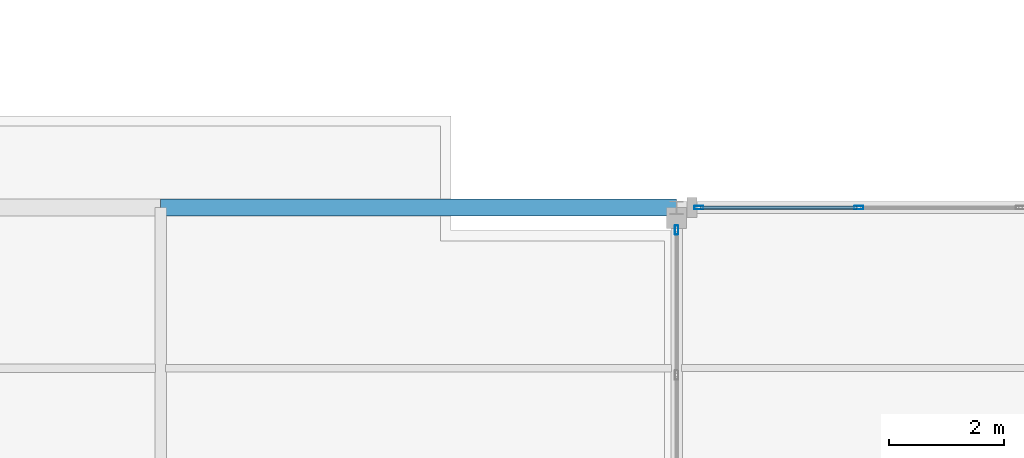
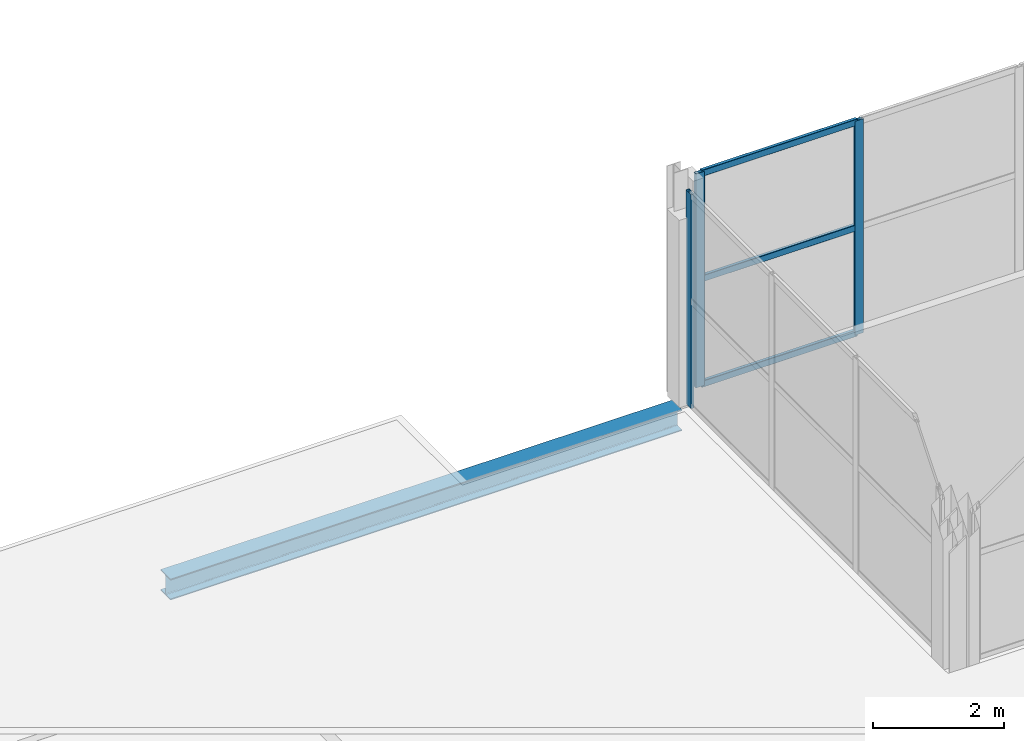
# One storey, part 68 of 93: 6 members, 1 beam, 2 elements without a shape of their own.
"""IFC4 building model written with IfcOpenShell, lengths in metres."""

import ifcopenshell
import ifcopenshell.guid

model = None  # the IFC model being written
_history = None  # IfcOwnerHistory: only IFC2X3 demands one
_inside = {}  # id of a spatial element -> (the spatial element, [elements in it])
_under = {}  # id of a project, library or spatial element -> (it, [spatial elements below it])
_declared = {}  # id of a project -> (the project, [libraries it declares])
_typed = {}  # id of a type object -> (the type object, [elements of that type])
_made_of = {}  # id of a material, layer set ... -> (it, [elements and type objects made of it])


def new_model(schema):
    """Start an empty IFC model of exactly this schema.

    Asked for "IFC4X3", IfcOpenShell would pick the latest addendum, in which some entities
    have other attributes; the version numbers below select the first issue.
    IFC2X3 requires an IfcOwnerHistory on every rooted entity: one is made here for all.
    """
    global model, _history
    if schema == "IFC4X3":
        model = ifcopenshell.file(schema_version=(4, 3, 0, 0))
    else:
        model = ifcopenshell.file(schema=schema)
    _inside.clear()
    _under.clear()
    _declared.clear()
    _typed.clear()
    _made_of.clear()
    _history = None
    if model.schema == "IFC2X3":
        org = make("IfcOrganization", Name="unknown")
        user = make(
            "IfcPersonAndOrganization",
            ThePerson=make("IfcPerson", FamilyName="unknown"),
            TheOrganization=org,
        )
        app = make(
            "IfcApplication",
            ApplicationDeveloper=org,
            Version="unknown",
            ApplicationFullName="unknown",
            ApplicationIdentifier="unknown",
        )
        _history = make(
            "IfcOwnerHistory",
            OwningUser=user,
            OwningApplication=app,
            ChangeAction="ADDED",
            CreationDate=0,
        )
    return model


def make(cls, **values):
    """One entity of the class cls with the attributes given. An attribute that is None is left unset."""
    return model.create_entity(
        cls, **{name: value for name, value in values.items() if value is not None}
    )


def rooted(cls, **values):
    """An entity with a GlobalId (a new one), such as an element, a storey or a relation."""
    return make(cls, GlobalId=ifcopenshell.guid.new(), OwnerHistory=_history, **values)


def si_unit(unit_type, name, prefix=None):
    """IfcSIUnit, for example si_unit("LENGTHUNIT", "METRE", prefix="MILLI")."""
    return make("IfcSIUnit", UnitType=unit_type, Prefix=prefix, Name=name)


def assignment(units):
    """IfcUnitAssignment: the units of a project."""
    return None if units is None else make("IfcUnitAssignment", Units=units)


def point(xyz):
    """IfcCartesianPoint."""
    return None if xyz is None else make("IfcCartesianPoint", Coordinates=xyz)


def direction(xyz):
    """IfcDirection."""
    return None if xyz is None else make("IfcDirection", DirectionRatios=xyz)


def frame(location, z_axis=None, x_axis=None):
    """IfcAxis2Placement3D, a coordinate frame: its origin and axes. An axis left out is left unset."""
    return make(
        "IfcAxis2Placement3D",
        Location=point(location),
        Axis=direction(z_axis),
        RefDirection=direction(x_axis),
    )


def frame_2d(location, x_axis=None):
    """IfcAxis2Placement2D, a coordinate frame in the plane: its origin and x axis."""
    return make(
        "IfcAxis2Placement2D", Location=point(location), RefDirection=direction(x_axis)
    )


def origin():
    """The frame at (0, 0, 0) with its axes left unset."""
    return frame((0.0, 0.0, 0.0))


def origin_2d():
    """The frame at (0, 0) in the plane with its x axis left unset."""
    return frame_2d((0.0, 0.0))


def place(relative_to, where):
    """IfcLocalPlacement: puts the frame where relative to a parent placement (None: the world)."""
    return make(
        "IfcLocalPlacement", PlacementRelTo=relative_to, RelativePlacement=where
    )


def context(
    kind, dimensions, precision=None, world=None, true_north=None, identifier=None
):
    """IfcGeometricRepresentationContext, for example the 3D "Model" context."""
    return make(
        "IfcGeometricRepresentationContext",
        ContextIdentifier=identifier,
        ContextType=kind,
        CoordinateSpaceDimension=dimensions,
        Precision=precision,
        WorldCoordinateSystem=world,
        TrueNorth=true_north,
    )


def subcontext(parent, identifier, kind, view, scale=None):
    """IfcGeometricRepresentationSubContext, for example "Body" below "Model"."""
    return make(
        "IfcGeometricRepresentationSubContext",
        ContextIdentifier=identifier,
        ContextType=kind,
        ParentContext=parent,
        TargetScale=scale,
        TargetView=view,
    )


def project(units=None, contexts=None):
    """IfcProject with its units and contexts."""
    return rooted(
        "IfcProject",
        Name="project",
        RepresentationContexts=contexts,
        UnitsInContext=assignment(units),
    )


def spatial(cls, under=None, at=None, **own):
    """A site, building, storey or space (cls), placed at a placement, below another one or the project."""
    s = rooted(cls, ObjectPlacement=at, **own)
    if under is not None:
        _under.setdefault(under.id(), (under, []))[1].append(s)
    return s


def profile(cls, at=None, kind="AREA", **sizes):
    """A parametric profile (cls). Its sizes go by their IFC names, for example OverallWidth=200.0."""
    return make(cls, ProfileType=kind, Position=at, **sizes)


def hollow_rectangle(**sizes):
    """IfcRectangleHollowProfileDef."""
    return profile("IfcRectangleHollowProfileDef", **sizes)


def i_section(**sizes):
    """IfcIShapeProfileDef."""
    return profile("IfcIShapeProfileDef", **sizes)


def extrude(swept, where, along, depth):
    """IfcExtrudedAreaSolid: the profile swept, set in the frame where, extruded along a direction by depth."""
    return make(
        "IfcExtrudedAreaSolid",
        SweptArea=swept,
        Position=where,
        ExtrudedDirection=direction(along),
        Depth=depth,
    )


def shape(context_of_items, identifier, shape_type, items):
    """IfcShapeRepresentation: the items that make up one representation, for example the "Body"."""
    return make(
        "IfcShapeRepresentation",
        ContextOfItems=context_of_items,
        RepresentationIdentifier=identifier,
        RepresentationType=shape_type,
        Items=items,
    )


def material(Name=None, Category=None):
    """IfcMaterial."""
    return make("IfcMaterial", Name=Name, Category=Category)


def layer(
    of_material, thickness, ventilated=None, Name=None, Category=None, Priority=None
):
    """IfcMaterialLayer: one layer of a wall or slab, of a material (None: an air gap)."""
    return make(
        "IfcMaterialLayer",
        Material=of_material,
        LayerThickness=thickness,
        IsVentilated=ventilated,
        Name=Name,
        Category=Category,
        Priority=Priority,
    )


def layer_set(layers, Name=None):
    """IfcMaterialLayerSet."""
    return make("IfcMaterialLayerSet", MaterialLayers=layers, LayerSetName=Name)


def material_profile(
    of_material, cross_section, Name=None, Category=None, Priority=None
):
    """IfcMaterialProfile: a cross section and its material."""
    return make(
        "IfcMaterialProfile",
        Name=Name,
        Material=of_material,
        Profile=cross_section,
        Priority=Priority,
        Category=Category,
    )


def profile_set(profiles, Name=None, composite=None):
    """IfcMaterialProfileSet."""
    return make(
        "IfcMaterialProfileSet",
        Name=Name,
        MaterialProfiles=profiles,
        CompositeProfile=composite,
    )


def made_of(thing, what):
    """Note that an element or type object is made of a material, layer set ...; save() writes the relation."""
    if what is not None:
        _made_of.setdefault(what.id(), (what, []))[1].append(thing)
    return thing


def type_object(cls, material=None, **own):
    """A type object (cls), such as IfcWallType, which elements share."""
    return made_of(rooted(cls, **own), material)


def element(
    cls,
    number,
    at=None,
    inside=None,
    cuts=None,
    type_object=None,
    material=None,
    context=None,
    identifier="Body",
    shape_type=None,
    held_by="IfcProductDefinitionShape",
    body=None,
    shapes=None,
    **own,
):
    """One element of the class cls, such as IfcWall. Its Tag is "e" and its number.

    at: its placement. inside: the storey or other place that contains it. cuts: it is an
    opening in that element (IfcRelVoidsElement). A single representation is given by context,
    identifier, shape_type and body (its items); several are given by shapes. held_by: the class
    of the entity that holds the representations. save() writes the other relations.
    """
    e = rooted(cls, Tag="e%d" % number, ObjectPlacement=at, **own)
    if body is not None:
        shapes = [shape(context, identifier, shape_type, body)]
    if shapes is not None:
        e.Representation = make(held_by, Representations=shapes)
    if inside is not None:
        _inside.setdefault(inside.id(), (inside, []))[1].append(e)
    if cuts is not None:
        rooted(
            "IfcRelVoidsElement", RelatingBuildingElement=cuts, RelatedOpeningElement=e
        )
    if type_object is not None:
        _typed.setdefault(type_object.id(), (type_object, []))[1].append(e)
    return made_of(e, material)


def aggregate(whole, parts):
    """IfcRelAggregates: a whole, such as a stair, and the parts it consists of."""
    return rooted("IfcRelAggregates", RelatingObject=whole, RelatedObjects=parts)


def save(model, path):
    """Write the relations noted so far, then the file.

    IfcRelAggregates (storeys below a building ...), IfcRelContainedInSpatialStructure (elements
    in a storey), IfcRelDefinesByType, IfcRelAssociatesMaterial and IfcRelDeclares: one each for
    every whole, place, type object, material and project.
    """
    for whole, parts in _under.values():
        aggregate(whole, parts)
    for where, things in _inside.values():
        rooted(
            "IfcRelContainedInSpatialStructure",
            RelatedElements=things,
            RelatingStructure=where,
        )
    for kind, things in _typed.values():
        rooted("IfcRelDefinesByType", RelatedObjects=things, RelatingType=kind)
    for what, things in _made_of.values():
        rooted("IfcRelAssociatesMaterial", RelatedObjects=things, RelatingMaterial=what)
    for by, libraries in _declared.values():
        rooted("IfcRelDeclares", RelatingContext=by, RelatedDefinitions=libraries)
    model.write(path)


model = new_model("IFC4")

# Units and contexts
model_context = context("Model", 3, precision=1e-05, world=origin(), true_north=direction((0.0, 1.0)))
body_context = subcontext(model_context, "Body", "Model", "MODEL_VIEW")
ifc_project = project(units=[si_unit("LENGTHUNIT", "METRE"), si_unit("AREAUNIT", "SQUARE_METRE"), si_unit("VOLUMEUNIT", "CUBIC_METRE"), si_unit("PLANEANGLEUNIT", "RADIAN"), si_unit("MASSUNIT", "GRAM", prefix="KILO")], contexts=[model_context])

# Site, building, storey
site_placement = place(None, origin())
site = spatial("IfcSite", under=ifc_project, at=site_placement, CompositionType="ELEMENT")
building_placement = place(site_placement, origin())
building = spatial("IfcBuilding", under=site, at=building_placement, Name="Vekula Escarpment Museum", CompositionType="ELEMENT")
storey_placement = place(building_placement, frame((0.0, 0.0, 22.199951171875)))
storey = spatial("IfcBuildingStorey", under=building, at=storey_placement, Name="L05", CompositionType="ELEMENT", Elevation=22.199951171875)

# Beam
ifc_material_1 = material(Name="Steel S355", Category="steel")
ifc_material_profile_1 = material_profile(ifc_material_1, i_section(OverallWidth=0.300048828125, OverallDepth=0.389892578125, WebThickness=0.010986328125, FlangeThickness=0.01904296875, FilletRadius=0.027099609375, at=origin_2d()), Name="HEA 400")
ifc_profile_set_1 = profile_set([ifc_material_profile_1], Name="Steel S355")
beam_type = type_object("IfcBeamType", Name="BM-SPAN-HEA400", PredefinedType="SPANDREL", material=ifc_profile_set_1)
beam_placement = place(storey_placement, frame((146.0, 76.39990234375, -0.4150390625), z_axis=(1.0, 0.0, 0.0), x_axis=(0.0, 1.0, 0.0)))
element("IfcBeam", 1, at=beam_placement, inside=storey, type_object=beam_type, Name="Beam X L05 2024", PredefinedType="SPANDREL", context=body_context, shape_type="SweptSolid", body=[
    extrude(i_section(OverallWidth=0.300048828125, OverallDepth=0.389892578125, WebThickness=0.010986328125, FlangeThickness=0.01904296875, FilletRadius=0.027099609375, at=origin_2d()), origin(), (0.0, 0.0, 1.0), 9.0),
])

# Curtain wall, member
ifc_material_2 = material(Name="Aluminium thermally broken framing", Category="aluminium")
ifc_layer_1 = layer(ifc_material_2, 0.199951171875)
ifc_layer_set_1 = layer_set([ifc_layer_1], Name="Aluminium thermally broken framing")
curtain_wall_type_1 = type_object("IfcCurtainWallType", Name="CW-SYS-04", PredefinedType="NOTDEFINED", material=ifc_layer_set_1)
curtain_wall_1_placement = place(storey_placement, origin())
curtain_wall_1 = element("IfcCurtainWall", 2, at=curtain_wall_1_placement, inside=storey, type_object=curtain_wall_type_1, Name="Curtain Wall CW-L05-184", PredefinedType="NOTDEFINED")
ifc_material_3 = material(Name="Aluminium anodized mullion", Category="aluminium")
ifc_material_profile_2 = material_profile(ifc_material_3, hollow_rectangle(XDim=0.06005859375, YDim=0.159912109375, WallThickness=0.00390625, InnerFilletRadius=0.00390625, OuterFilletRadius=0.008056640625, at=origin_2d()), Name="ALU 160x60x4")
ifc_profile_set_2 = profile_set([ifc_material_profile_2], Name="Aluminium anodized mullion")
member_type_1 = type_object("IfcMemberType", Name="CW-MUL-160", PredefinedType="MULLION", material=ifc_profile_set_2)
member_1_placement = place(storey_placement, frame((155.0, 76.010009765625, 0.0), z_axis=(0.0, 0.0, 1.0), x_axis=(1.0, 0.0, 0.0)))
member_1 = element("IfcMember", 3, at=member_1_placement, type_object=member_type_1, Name="CW-04 mullion 1", PredefinedType="MULLION", context=body_context, shape_type="SweptSolid", body=[
    extrude(hollow_rectangle(XDim=0.06005859375, YDim=0.159912109375, WallThickness=0.00390625, InnerFilletRadius=0.00390625, OuterFilletRadius=0.008056640625, at=origin_2d()), origin(), (0.0, 0.0, 1.0), 3.97998046875),
])
aggregate(curtain_wall_1, [member_1])

# Curtain wall, members
ifc_material_4 = material(Name="Aluminium thermally broken framing", Category="aluminium")
ifc_layer_2 = layer(ifc_material_4, 0.179931640625)
ifc_layer_set_2 = layer_set([ifc_layer_2], Name="Aluminium thermally broken framing")
curtain_wall_type_2 = type_object("IfcCurtainWallType", Name="CW-SYS-08", PredefinedType="NOTDEFINED", material=ifc_layer_set_2)
curtain_wall_2_placement = place(storey_placement, origin())
curtain_wall_2 = element("IfcCurtainWall", 4, at=curtain_wall_2_placement, inside=storey, type_object=curtain_wall_type_2, Name="Curtain Wall CW-L05-188", PredefinedType="NOTDEFINED")
member_2_placement = place(storey_placement, frame((158.179931640625, 76.39990234375, 0.0), z_axis=(0.0, 0.0, 1.0), x_axis=(0.0, -1.0, 0.0)))
member_2 = element("IfcMember", 5, at=member_2_placement, type_object=member_type_1, Name="CW-08 mullion 4", PredefinedType="MULLION", context=body_context, shape_type="SweptSolid", body=[
    extrude(hollow_rectangle(XDim=0.06005859375, YDim=0.159912109375, WallThickness=0.00390625, InnerFilletRadius=0.00390625, OuterFilletRadius=0.008056640625, at=origin_2d()), origin(), (0.0, 0.0, 1.0), 3.97998046875),
])
member_3_placement = place(storey_placement, frame((155.389892578125, 76.39990234375, 0.0), z_axis=(0.0, 0.0, 1.0), x_axis=(0.0, -1.0, 0.0)))
member_3 = element("IfcMember", 6, at=member_3_placement, type_object=member_type_1, Name="CW-08 mullion 5", PredefinedType="MULLION", context=body_context, shape_type="SweptSolid", body=[
    extrude(hollow_rectangle(XDim=0.06005859375, YDim=0.159912109375, WallThickness=0.00390625, InnerFilletRadius=0.00390625, OuterFilletRadius=0.008056640625, at=origin_2d()), origin(), (0.0, 0.0, 1.0), 3.97998046875),
])
ifc_material_5 = material(Name="Aluminium anodized transom", Category="aluminium")
ifc_material_profile_3 = material_profile(ifc_material_5, hollow_rectangle(XDim=0.06005859375, YDim=0.1201171875, WallThickness=0.00390625, InnerFilletRadius=0.00390625, OuterFilletRadius=0.008056640625, at=origin_2d()), Name="ALU 120x60x4")
ifc_profile_set_3 = profile_set([ifc_material_profile_3], Name="Aluminium anodized transom")
member_type_2 = type_object("IfcMemberType", Name="CW-TRN-120", PredefinedType="USERDEFINED", material=ifc_profile_set_3)
member_4_placement = place(storey_placement, frame((158.14990234375, 76.39990234375, 0.030029296875), z_axis=(-1.0, 0.0, 0.0), x_axis=(0.0, -1.0, 0.0)))
member_4 = element("IfcMember", 7, at=member_4_placement, type_object=member_type_2, Name="CW-08 transom 4.1", ObjectType="TRANSOM", PredefinedType="USERDEFINED", context=body_context, shape_type="SweptSolid", body=[
    extrude(hollow_rectangle(XDim=0.06005859375, YDim=0.1201171875, WallThickness=0.00390625, InnerFilletRadius=0.00390625, OuterFilletRadius=0.008056640625, at=origin_2d()), origin(), (0.0, 0.0, 1.0), 2.72998046875),
])
member_5_placement = place(storey_placement, frame((158.14990234375, 76.39990234375, 1.989990234375), z_axis=(-1.0, 0.0, 0.0), x_axis=(0.0, -1.0, 0.0)))
member_5 = element("IfcMember", 8, at=member_5_placement, type_object=member_type_2, Name="CW-08 transom 4.2", ObjectType="TRANSOM", PredefinedType="USERDEFINED", context=body_context, shape_type="SweptSolid", body=[
    extrude(hollow_rectangle(XDim=0.06005859375, YDim=0.1201171875, WallThickness=0.00390625, InnerFilletRadius=0.00390625, OuterFilletRadius=0.008056640625, at=origin_2d()), origin(), (0.0, 0.0, 1.0), 2.72998046875),
])
member_6_placement = place(storey_placement, frame((158.14990234375, 76.39990234375, 3.949951171875), z_axis=(-1.0, 0.0, 0.0), x_axis=(0.0, -1.0, 0.0)))
member_6 = element("IfcMember", 9, at=member_6_placement, type_object=member_type_2, Name="CW-08 transom 4.3", ObjectType="TRANSOM", PredefinedType="USERDEFINED", context=body_context, shape_type="SweptSolid", body=[
    extrude(hollow_rectangle(XDim=0.06005859375, YDim=0.1201171875, WallThickness=0.00390625, InnerFilletRadius=0.00390625, OuterFilletRadius=0.008056640625, at=origin_2d()), origin(), (0.0, 0.0, 1.0), 2.72998046875),
])
aggregate(curtain_wall_2, [member_2, member_3, member_4, member_5, member_6])

save(model, "model.ifc")
